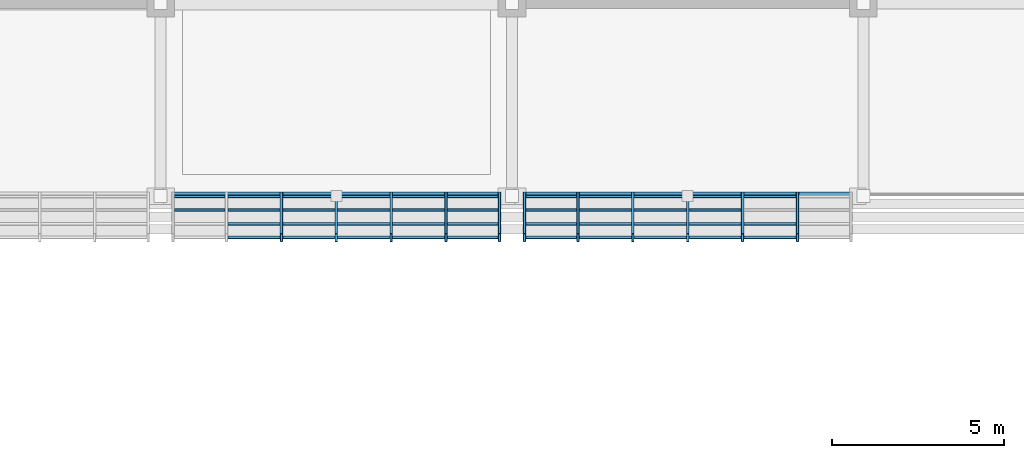
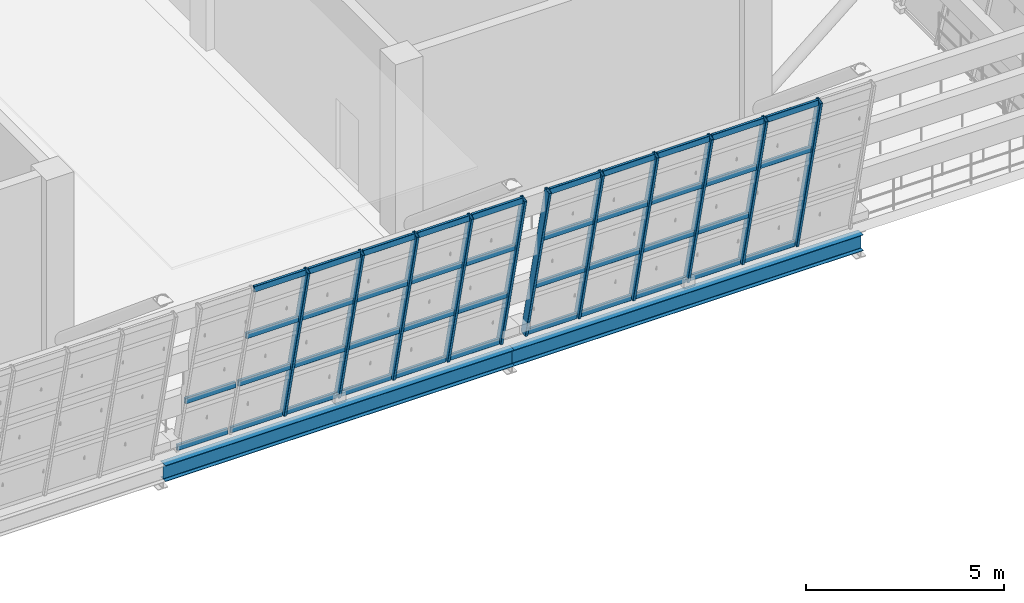
# One storey, part 60 of 175: 52 members, 2 beams, 2 elements without a shape of their own.
"""IFC4 building model written with IfcOpenShell, lengths in metres."""

from ifc_helpers import new_model, si_unit, direction, frame, origin, origin_2d, place, context, subcontext, project, spatial, hollow_rectangle, i_section, extrude, material, material_profile, profile_set, type_object, element, aggregate, save


model = new_model("IFC4")

# Units and contexts
model_context = context("Model", 3, precision=1e-05, world=origin(), true_north=direction((0.0, 1.0)))
body_context = subcontext(model_context, "Body", "Model", "MODEL_VIEW")
ifc_project = project(units=[si_unit("LENGTHUNIT", "METRE"), si_unit("AREAUNIT", "SQUARE_METRE"), si_unit("VOLUMEUNIT", "CUBIC_METRE"), si_unit("PLANEANGLEUNIT", "RADIAN"), si_unit("MASSUNIT", "GRAM", prefix="KILO")], contexts=[model_context])

# Site, building, storey
site_placement = place(None, origin())
site = spatial("IfcSite", under=ifc_project, at=site_placement, CompositionType="ELEMENT")
building_placement = place(site_placement, origin())
building = spatial("IfcBuilding", under=site, at=building_placement, Name="Brelvane Convention Centre", CompositionType="ELEMENT")
storey_placement = place(building_placement, frame((0.0, 0.0, 5.39990234375)))
storey = spatial("IfcBuildingStorey", under=building, at=storey_placement, Name="L01", CompositionType="ELEMENT", Elevation=5.39990234375)

# Curtain wall, members
ifc_material_1 = material(Name="Anodised Aluminium Alloy 6063-T6", Category="aluminium")
curtain_wall_type = type_object("IfcCurtainWallType", Name="Curtain Wall CW-HULL-S", PredefinedType="USERDEFINED", material=ifc_material_1)
curtain_wall_1_placement = place(storey_placement, origin())
curtain_wall_1 = element("IfcCurtainWall", 1, at=curtain_wall_1_placement, inside=storey, type_object=curtain_wall_type, Name="Curtain Wall CW-HULL-S L01-HULL-S-L01-21", ObjectType="UNITISED", PredefinedType="USERDEFINED")
ifc_material_2 = material(Name="Anodised Aluminium Alloy 6063-T6", Category="aluminium")
ifc_material_profile_1 = material_profile(ifc_material_2, hollow_rectangle(XDim=0.080078125, YDim=0.239990234375, WallThickness=0.006103515625, InnerFilletRadius=0.006103515625, OuterFilletRadius=0.011962890625, at=origin_2d()), Name="ALU-M 240x80x6.0")
ifc_profile_set_1 = profile_set([ifc_material_profile_1], Name="Anodised Aluminium Alloy 6063-T6")
member_type_1 = type_object("IfcMemberType", Name="Curtain Mullion CW-M1", PredefinedType="MULLION", material=ifc_profile_set_1)
member_1_placement = place(storey_placement, frame((207.506591796875, 13.60009765625, 0.0), z_axis=(0.0, -0.228360162456, 0.973576723326), x_axis=(1.0, 0.0, 0.0)))
member_1 = element("IfcMember", 2, at=member_1_placement, type_object=member_type_1, Name="CW-HULL-S mullion 3", PredefinedType="MULLION", context=body_context, shape_type="SweptSolid", body=[
    extrude(hollow_rectangle(XDim=0.080078125, YDim=0.239990234375, WallThickness=0.006103515625, InnerFilletRadius=0.006103515625, OuterFilletRadius=0.011962890625, at=origin_2d()), origin(), (0.0, 0.0, 1.0), 5.2900390625),
])
member_2_placement = place(storey_placement, frame((209.10009765625, 13.60009765625, 0.0), z_axis=(0.0, -0.228360162456, 0.973576723326), x_axis=(1.0, 0.0, 0.0)))
member_2 = element("IfcMember", 3, at=member_2_placement, type_object=member_type_1, Name="CW-HULL-S mullion 4", PredefinedType="MULLION", context=body_context, shape_type="SweptSolid", body=[
    extrude(hollow_rectangle(XDim=0.080078125, YDim=0.239990234375, WallThickness=0.006103515625, InnerFilletRadius=0.006103515625, OuterFilletRadius=0.011962890625, at=origin_2d()), origin(), (0.0, 0.0, 1.0), 5.2900390625),
])
member_3_placement = place(storey_placement, frame((210.693359375, 13.60009765625, 0.0), z_axis=(0.0, -0.228360162456, 0.973576723326), x_axis=(1.0, 0.0, 0.0)))
member_3 = element("IfcMember", 4, at=member_3_placement, type_object=member_type_1, Name="CW-HULL-S mullion 5", PredefinedType="MULLION", context=body_context, shape_type="SweptSolid", body=[
    extrude(hollow_rectangle(XDim=0.080078125, YDim=0.239990234375, WallThickness=0.006103515625, InnerFilletRadius=0.006103515625, OuterFilletRadius=0.011962890625, at=origin_2d()), origin(), (0.0, 0.0, 1.0), 5.2900390625),
])
member_4_placement = place(storey_placement, frame((212.28662109375, 13.60009765625, 0.0), z_axis=(0.0, -0.228360162456, 0.973576723326), x_axis=(1.0, 0.0, 0.0)))
member_4 = element("IfcMember", 5, at=member_4_placement, type_object=member_type_1, Name="CW-HULL-S mullion 6", PredefinedType="MULLION", context=body_context, shape_type="SweptSolid", body=[
    extrude(hollow_rectangle(XDim=0.080078125, YDim=0.239990234375, WallThickness=0.006103515625, InnerFilletRadius=0.006103515625, OuterFilletRadius=0.011962890625, at=origin_2d()), origin(), (0.0, 0.0, 1.0), 5.2900390625),
])
member_5_placement = place(storey_placement, frame((213.840087890625, 13.60009765625, 0.0), z_axis=(0.0, -0.228360162456, 0.973576723326), x_axis=(1.0, 0.0, 0.0)))
member_5 = element("IfcMember", 6, at=member_5_placement, type_object=member_type_1, Name="CW-HULL-S mullion 7", PredefinedType="MULLION", context=body_context, shape_type="SweptSolid", body=[
    extrude(hollow_rectangle(XDim=0.080078125, YDim=0.239990234375, WallThickness=0.006103515625, InnerFilletRadius=0.006103515625, OuterFilletRadius=0.011962890625, at=origin_2d()), origin(), (0.0, 0.0, 1.0), 5.2900390625),
])

curtain_wall_2_placement = place(storey_placement, origin())
curtain_wall_2 = element("IfcCurtainWall", 7, at=curtain_wall_2_placement, inside=storey, type_object=curtain_wall_type, Name="Curtain Wall CW-HULL-S L01-HULL-S-L01-22", ObjectType="UNITISED", PredefinedType="USERDEFINED")
member_6_placement = place(storey_placement, frame((214.56005859375, 13.60009765625, 0.0), z_axis=(0.0, -0.228360162456, 0.973576723326), x_axis=(1.0, 0.0, 0.0)))
member_6 = element("IfcMember", 8, at=member_6_placement, type_object=member_type_1, Name="CW-HULL-S mullion 1", PredefinedType="MULLION", context=body_context, shape_type="SweptSolid", body=[
    extrude(hollow_rectangle(XDim=0.080078125, YDim=0.239990234375, WallThickness=0.006103515625, InnerFilletRadius=0.006103515625, OuterFilletRadius=0.011962890625, at=origin_2d()), origin(), (0.0, 0.0, 1.0), 5.2900390625),
])
member_7_placement = place(storey_placement, frame((216.11328125, 13.60009765625, 0.0), z_axis=(0.0, -0.228360162456, 0.973576723326), x_axis=(1.0, 0.0, 0.0)))
member_7 = element("IfcMember", 9, at=member_7_placement, type_object=member_type_1, Name="CW-HULL-S mullion 2", PredefinedType="MULLION", context=body_context, shape_type="SweptSolid", body=[
    extrude(hollow_rectangle(XDim=0.080078125, YDim=0.239990234375, WallThickness=0.006103515625, InnerFilletRadius=0.006103515625, OuterFilletRadius=0.011962890625, at=origin_2d()), origin(), (0.0, 0.0, 1.0), 5.2900390625),
])
member_8_placement = place(storey_placement, frame((217.706787109375, 13.60009765625, 0.0), z_axis=(0.0, -0.228360162456, 0.973576723326), x_axis=(1.0, 0.0, 0.0)))
member_8 = element("IfcMember", 10, at=member_8_placement, type_object=member_type_1, Name="CW-HULL-S mullion 3", PredefinedType="MULLION", context=body_context, shape_type="SweptSolid", body=[
    extrude(hollow_rectangle(XDim=0.080078125, YDim=0.239990234375, WallThickness=0.006103515625, InnerFilletRadius=0.006103515625, OuterFilletRadius=0.011962890625, at=origin_2d()), origin(), (0.0, 0.0, 1.0), 5.2900390625),
])
member_9_placement = place(storey_placement, frame((219.300048828125, 13.60009765625, 0.0), z_axis=(0.0, -0.228360162456, 0.973576723326), x_axis=(1.0, 0.0, 0.0)))
member_9 = element("IfcMember", 11, at=member_9_placement, type_object=member_type_1, Name="CW-HULL-S mullion 4", PredefinedType="MULLION", context=body_context, shape_type="SweptSolid", body=[
    extrude(hollow_rectangle(XDim=0.080078125, YDim=0.239990234375, WallThickness=0.006103515625, InnerFilletRadius=0.006103515625, OuterFilletRadius=0.011962890625, at=origin_2d()), origin(), (0.0, 0.0, 1.0), 5.2900390625),
])
member_10_placement = place(storey_placement, frame((220.893310546875, 13.60009765625, 0.0), z_axis=(0.0, -0.228360162456, 0.973576723326), x_axis=(1.0, 0.0, 0.0)))
member_10 = element("IfcMember", 12, at=member_10_placement, type_object=member_type_1, Name="CW-HULL-S mullion 5", PredefinedType="MULLION", context=body_context, shape_type="SweptSolid", body=[
    extrude(hollow_rectangle(XDim=0.080078125, YDim=0.239990234375, WallThickness=0.006103515625, InnerFilletRadius=0.006103515625, OuterFilletRadius=0.011962890625, at=origin_2d()), origin(), (0.0, 0.0, 1.0), 5.2900390625),
])
member_11_placement = place(storey_placement, frame((222.486572265625, 13.60009765625, 0.0), z_axis=(0.0, -0.228360162456, 0.973576723326), x_axis=(1.0, 0.0, 0.0)))
member_11 = element("IfcMember", 13, at=member_11_placement, type_object=member_type_1, Name="CW-HULL-S mullion 6", PredefinedType="MULLION", context=body_context, shape_type="SweptSolid", body=[
    extrude(hollow_rectangle(XDim=0.080078125, YDim=0.239990234375, WallThickness=0.006103515625, InnerFilletRadius=0.006103515625, OuterFilletRadius=0.011962890625, at=origin_2d()), origin(), (0.0, 0.0, 1.0), 5.2900390625),
])

# Member
ifc_material_3 = material(Name="Anodised Aluminium Alloy 6063-T6", Category="aluminium")
ifc_material_profile_2 = material_profile(ifc_material_3, hollow_rectangle(XDim=0.080078125, YDim=0.179931640625, WallThickness=0.0048828125, InnerFilletRadius=0.0048828125, OuterFilletRadius=0.010009765625, at=origin_2d()), Name="ALU-T 180x80x5.0")
ifc_profile_set_2 = profile_set([ifc_material_profile_2], Name="Anodised Aluminium Alloy 6063-T6")
member_type_2 = type_object("IfcMemberType", Name="Curtain Transom CW-T1", PredefinedType="USERDEFINED", material=ifc_profile_set_2)
member_12_placement = place(storey_placement, frame((204.39990234375, 13.590576171875, 0.0400390625), z_axis=(1.0, 0.0, 0.0), x_axis=(0.0, 1.0, 0.0)))
member_12 = element("IfcMember", 14, at=member_12_placement, type_object=member_type_2, Name="CW-HULL-S transom 1.1", ObjectType="TRANSOM", PredefinedType="USERDEFINED", context=body_context, shape_type="SweptSolid", body=[
    extrude(hollow_rectangle(XDim=0.080078125, YDim=0.179931640625, WallThickness=0.0048828125, InnerFilletRadius=0.0048828125, OuterFilletRadius=0.010009765625, at=origin_2d()), origin(), (0.0, 0.0, 1.0), 1.473388671875),
])

member_13_placement = place(storey_placement, frame((204.39990234375, 13.197265625, 1.716796875), z_axis=(1.0, 0.0, 0.0), x_axis=(0.0, 1.0, 0.0)))
member_13 = element("IfcMember", 15, at=member_13_placement, type_object=member_type_2, Name="CW-HULL-S transom 1.2", ObjectType="TRANSOM", PredefinedType="USERDEFINED", context=body_context, shape_type="SweptSolid", body=[
    extrude(hollow_rectangle(XDim=0.080078125, YDim=0.179931640625, WallThickness=0.0048828125, InnerFilletRadius=0.0048828125, OuterFilletRadius=0.010009765625, at=origin_2d()), origin(), (0.0, 0.0, 1.0), 1.473388671875),
])

member_14_placement = place(storey_placement, frame((205.953369140625, 13.590576171875, 0.0400390625), z_axis=(1.0, 0.0, 0.0), x_axis=(0.0, 1.0, 0.0)))
member_14 = element("IfcMember", 16, at=member_14_placement, type_object=member_type_2, Name="CW-HULL-S transom 2.1", ObjectType="TRANSOM", PredefinedType="USERDEFINED", context=body_context, shape_type="SweptSolid", body=[
    extrude(hollow_rectangle(XDim=0.080078125, YDim=0.179931640625, WallThickness=0.0048828125, InnerFilletRadius=0.0048828125, OuterFilletRadius=0.010009765625, at=origin_2d()), origin(), (0.0, 0.0, 1.0), 1.51318359375),
])

member_15_placement = place(storey_placement, frame((205.953369140625, 13.197265625, 1.716796875), z_axis=(1.0, 0.0, 0.0), x_axis=(0.0, 1.0, 0.0)))
member_15 = element("IfcMember", 17, at=member_15_placement, type_object=member_type_2, Name="CW-HULL-S transom 2.2", ObjectType="TRANSOM", PredefinedType="USERDEFINED", context=body_context, shape_type="SweptSolid", body=[
    extrude(hollow_rectangle(XDim=0.080078125, YDim=0.179931640625, WallThickness=0.0048828125, InnerFilletRadius=0.0048828125, OuterFilletRadius=0.010009765625, at=origin_2d()), origin(), (0.0, 0.0, 1.0), 1.51318359375),
])

member_16_placement = place(storey_placement, frame((205.953369140625, 12.794677734375, 3.433349609375), z_axis=(1.0, 0.0, 0.0), x_axis=(0.0, 1.0, 0.0)))
member_16 = element("IfcMember", 18, at=member_16_placement, type_object=member_type_2, Name="CW-HULL-S transom 2.3", ObjectType="TRANSOM", PredefinedType="USERDEFINED", context=body_context, shape_type="SweptSolid", body=[
    extrude(hollow_rectangle(XDim=0.080078125, YDim=0.179931640625, WallThickness=0.0048828125, InnerFilletRadius=0.0048828125, OuterFilletRadius=0.010009765625, at=origin_2d()), origin(), (0.0, 0.0, 1.0), 1.51318359375),
])

member_17_placement = place(storey_placement, frame((205.953369140625, 12.4013671875, 5.110107421875), z_axis=(1.0, 0.0, 0.0), x_axis=(0.0, 1.0, 0.0)))
member_17 = element("IfcMember", 19, at=member_17_placement, type_object=member_type_2, Name="CW-HULL-S transom 2.4", ObjectType="TRANSOM", PredefinedType="USERDEFINED", context=body_context, shape_type="SweptSolid", body=[
    extrude(hollow_rectangle(XDim=0.080078125, YDim=0.179931640625, WallThickness=0.0048828125, InnerFilletRadius=0.0048828125, OuterFilletRadius=0.010009765625, at=origin_2d()), origin(), (0.0, 0.0, 1.0), 1.51318359375),
])

member_18_placement = place(storey_placement, frame((207.546630859375, 13.590576171875, 0.0400390625), z_axis=(1.0, 0.0, 0.0), x_axis=(0.0, 1.0, 0.0)))
member_18 = element("IfcMember", 20, at=member_18_placement, type_object=member_type_2, Name="CW-HULL-S transom 3.1", ObjectType="TRANSOM", PredefinedType="USERDEFINED", context=body_context, shape_type="SweptSolid", body=[
    extrude(hollow_rectangle(XDim=0.080078125, YDim=0.179931640625, WallThickness=0.0048828125, InnerFilletRadius=0.0048828125, OuterFilletRadius=0.010009765625, at=origin_2d()), origin(), (0.0, 0.0, 1.0), 1.513427734375),
])

member_19_placement = place(storey_placement, frame((207.546630859375, 13.197265625, 1.716796875), z_axis=(1.0, 0.0, 0.0), x_axis=(0.0, 1.0, 0.0)))
member_19 = element("IfcMember", 21, at=member_19_placement, type_object=member_type_2, Name="CW-HULL-S transom 3.2", ObjectType="TRANSOM", PredefinedType="USERDEFINED", context=body_context, shape_type="SweptSolid", body=[
    extrude(hollow_rectangle(XDim=0.080078125, YDim=0.179931640625, WallThickness=0.0048828125, InnerFilletRadius=0.0048828125, OuterFilletRadius=0.010009765625, at=origin_2d()), origin(), (0.0, 0.0, 1.0), 1.513427734375),
])

member_20_placement = place(storey_placement, frame((207.546630859375, 12.794677734375, 3.433349609375), z_axis=(1.0, 0.0, 0.0), x_axis=(0.0, 1.0, 0.0)))
member_20 = element("IfcMember", 22, at=member_20_placement, type_object=member_type_2, Name="CW-HULL-S transom 3.3", ObjectType="TRANSOM", PredefinedType="USERDEFINED", context=body_context, shape_type="SweptSolid", body=[
    extrude(hollow_rectangle(XDim=0.080078125, YDim=0.179931640625, WallThickness=0.0048828125, InnerFilletRadius=0.0048828125, OuterFilletRadius=0.010009765625, at=origin_2d()), origin(), (0.0, 0.0, 1.0), 1.513427734375),
])

member_21_placement = place(storey_placement, frame((207.546630859375, 12.4013671875, 5.110107421875), z_axis=(1.0, 0.0, 0.0), x_axis=(0.0, 1.0, 0.0)))
member_21 = element("IfcMember", 23, at=member_21_placement, type_object=member_type_2, Name="CW-HULL-S transom 3.4", ObjectType="TRANSOM", PredefinedType="USERDEFINED", context=body_context, shape_type="SweptSolid", body=[
    extrude(hollow_rectangle(XDim=0.080078125, YDim=0.179931640625, WallThickness=0.0048828125, InnerFilletRadius=0.0048828125, OuterFilletRadius=0.010009765625, at=origin_2d()), origin(), (0.0, 0.0, 1.0), 1.513427734375),
])

member_22_placement = place(storey_placement, frame((209.139892578125, 13.590576171875, 0.0400390625), z_axis=(1.0, 0.0, 0.0), x_axis=(0.0, 1.0, 0.0)))
member_22 = element("IfcMember", 24, at=member_22_placement, type_object=member_type_2, Name="CW-HULL-S transom 4.1", ObjectType="TRANSOM", PredefinedType="USERDEFINED", context=body_context, shape_type="SweptSolid", body=[
    extrude(hollow_rectangle(XDim=0.080078125, YDim=0.179931640625, WallThickness=0.0048828125, InnerFilletRadius=0.0048828125, OuterFilletRadius=0.010009765625, at=origin_2d()), origin(), (0.0, 0.0, 1.0), 1.513427734375),
])

member_23_placement = place(storey_placement, frame((209.139892578125, 13.197265625, 1.716796875), z_axis=(1.0, 0.0, 0.0), x_axis=(0.0, 1.0, 0.0)))
member_23 = element("IfcMember", 25, at=member_23_placement, type_object=member_type_2, Name="CW-HULL-S transom 4.2", ObjectType="TRANSOM", PredefinedType="USERDEFINED", context=body_context, shape_type="SweptSolid", body=[
    extrude(hollow_rectangle(XDim=0.080078125, YDim=0.179931640625, WallThickness=0.0048828125, InnerFilletRadius=0.0048828125, OuterFilletRadius=0.010009765625, at=origin_2d()), origin(), (0.0, 0.0, 1.0), 1.513427734375),
])

member_24_placement = place(storey_placement, frame((209.139892578125, 12.794677734375, 3.433349609375), z_axis=(1.0, 0.0, 0.0), x_axis=(0.0, 1.0, 0.0)))
member_24 = element("IfcMember", 26, at=member_24_placement, type_object=member_type_2, Name="CW-HULL-S transom 4.3", ObjectType="TRANSOM", PredefinedType="USERDEFINED", context=body_context, shape_type="SweptSolid", body=[
    extrude(hollow_rectangle(XDim=0.080078125, YDim=0.179931640625, WallThickness=0.0048828125, InnerFilletRadius=0.0048828125, OuterFilletRadius=0.010009765625, at=origin_2d()), origin(), (0.0, 0.0, 1.0), 1.513427734375),
])

member_25_placement = place(storey_placement, frame((209.139892578125, 12.4013671875, 5.110107421875), z_axis=(1.0, 0.0, 0.0), x_axis=(0.0, 1.0, 0.0)))
member_25 = element("IfcMember", 27, at=member_25_placement, type_object=member_type_2, Name="CW-HULL-S transom 4.4", ObjectType="TRANSOM", PredefinedType="USERDEFINED", context=body_context, shape_type="SweptSolid", body=[
    extrude(hollow_rectangle(XDim=0.080078125, YDim=0.179931640625, WallThickness=0.0048828125, InnerFilletRadius=0.0048828125, OuterFilletRadius=0.010009765625, at=origin_2d()), origin(), (0.0, 0.0, 1.0), 1.513427734375),
])

member_26_placement = place(storey_placement, frame((210.7333984375, 13.590576171875, 0.0400390625), z_axis=(1.0, 0.0, 0.0), x_axis=(0.0, 1.0, 0.0)))
member_26 = element("IfcMember", 28, at=member_26_placement, type_object=member_type_2, Name="CW-HULL-S transom 5.1", ObjectType="TRANSOM", PredefinedType="USERDEFINED", context=body_context, shape_type="SweptSolid", body=[
    extrude(hollow_rectangle(XDim=0.080078125, YDim=0.179931640625, WallThickness=0.0048828125, InnerFilletRadius=0.0048828125, OuterFilletRadius=0.010009765625, at=origin_2d()), origin(), (0.0, 0.0, 1.0), 1.51318359375),
])

member_27_placement = place(storey_placement, frame((210.7333984375, 13.197265625, 1.716796875), z_axis=(1.0, 0.0, 0.0), x_axis=(0.0, 1.0, 0.0)))
member_27 = element("IfcMember", 29, at=member_27_placement, type_object=member_type_2, Name="CW-HULL-S transom 5.2", ObjectType="TRANSOM", PredefinedType="USERDEFINED", context=body_context, shape_type="SweptSolid", body=[
    extrude(hollow_rectangle(XDim=0.080078125, YDim=0.179931640625, WallThickness=0.0048828125, InnerFilletRadius=0.0048828125, OuterFilletRadius=0.010009765625, at=origin_2d()), origin(), (0.0, 0.0, 1.0), 1.51318359375),
])

member_28_placement = place(storey_placement, frame((210.7333984375, 12.794677734375, 3.433349609375), z_axis=(1.0, 0.0, 0.0), x_axis=(0.0, 1.0, 0.0)))
member_28 = element("IfcMember", 30, at=member_28_placement, type_object=member_type_2, Name="CW-HULL-S transom 5.3", ObjectType="TRANSOM", PredefinedType="USERDEFINED", context=body_context, shape_type="SweptSolid", body=[
    extrude(hollow_rectangle(XDim=0.080078125, YDim=0.179931640625, WallThickness=0.0048828125, InnerFilletRadius=0.0048828125, OuterFilletRadius=0.010009765625, at=origin_2d()), origin(), (0.0, 0.0, 1.0), 1.51318359375),
])

member_29_placement = place(storey_placement, frame((210.7333984375, 12.4013671875, 5.110107421875), z_axis=(1.0, 0.0, 0.0), x_axis=(0.0, 1.0, 0.0)))
member_29 = element("IfcMember", 31, at=member_29_placement, type_object=member_type_2, Name="CW-HULL-S transom 5.4", ObjectType="TRANSOM", PredefinedType="USERDEFINED", context=body_context, shape_type="SweptSolid", body=[
    extrude(hollow_rectangle(XDim=0.080078125, YDim=0.179931640625, WallThickness=0.0048828125, InnerFilletRadius=0.0048828125, OuterFilletRadius=0.010009765625, at=origin_2d()), origin(), (0.0, 0.0, 1.0), 1.51318359375),
])

member_30_placement = place(storey_placement, frame((212.32666015625, 13.590576171875, 0.0400390625), z_axis=(1.0, 0.0, 0.0), x_axis=(0.0, 1.0, 0.0)))
member_30 = element("IfcMember", 32, at=member_30_placement, type_object=member_type_2, Name="CW-HULL-S transom 6.1", ObjectType="TRANSOM", PredefinedType="USERDEFINED", context=body_context, shape_type="SweptSolid", body=[
    extrude(hollow_rectangle(XDim=0.080078125, YDim=0.179931640625, WallThickness=0.0048828125, InnerFilletRadius=0.0048828125, OuterFilletRadius=0.010009765625, at=origin_2d()), origin(), (0.0, 0.0, 1.0), 1.473388671875),
])

member_31_placement = place(storey_placement, frame((212.32666015625, 13.197265625, 1.716796875), z_axis=(1.0, 0.0, 0.0), x_axis=(0.0, 1.0, 0.0)))
member_31 = element("IfcMember", 33, at=member_31_placement, type_object=member_type_2, Name="CW-HULL-S transom 6.2", ObjectType="TRANSOM", PredefinedType="USERDEFINED", context=body_context, shape_type="SweptSolid", body=[
    extrude(hollow_rectangle(XDim=0.080078125, YDim=0.179931640625, WallThickness=0.0048828125, InnerFilletRadius=0.0048828125, OuterFilletRadius=0.010009765625, at=origin_2d()), origin(), (0.0, 0.0, 1.0), 1.473388671875),
])

member_32_placement = place(storey_placement, frame((212.32666015625, 12.794677734375, 3.433349609375), z_axis=(1.0, 0.0, 0.0), x_axis=(0.0, 1.0, 0.0)))
member_32 = element("IfcMember", 34, at=member_32_placement, type_object=member_type_2, Name="CW-HULL-S transom 6.3", ObjectType="TRANSOM", PredefinedType="USERDEFINED", context=body_context, shape_type="SweptSolid", body=[
    extrude(hollow_rectangle(XDim=0.080078125, YDim=0.179931640625, WallThickness=0.0048828125, InnerFilletRadius=0.0048828125, OuterFilletRadius=0.010009765625, at=origin_2d()), origin(), (0.0, 0.0, 1.0), 1.473388671875),
])

member_33_placement = place(storey_placement, frame((212.32666015625, 12.4013671875, 5.110107421875), z_axis=(1.0, 0.0, 0.0), x_axis=(0.0, 1.0, 0.0)))
member_33 = element("IfcMember", 35, at=member_33_placement, type_object=member_type_2, Name="CW-HULL-S transom 6.4", ObjectType="TRANSOM", PredefinedType="USERDEFINED", context=body_context, shape_type="SweptSolid", body=[
    extrude(hollow_rectangle(XDim=0.080078125, YDim=0.179931640625, WallThickness=0.0048828125, InnerFilletRadius=0.0048828125, OuterFilletRadius=0.010009765625, at=origin_2d()), origin(), (0.0, 0.0, 1.0), 1.473388671875),
])

aggregate(curtain_wall_1, [member_1, member_2, member_3, member_4, member_5, member_12, member_13, member_14, member_15, member_16, member_17, member_18, member_19, member_20, member_21, member_22, member_23, member_24, member_25, member_26, member_27, member_28, member_29, member_30, member_31, member_32, member_33])

member_34_placement = place(storey_placement, frame((214.60009765625, 13.590576171875, 0.0400390625), z_axis=(1.0, 0.0, 0.0), x_axis=(0.0, 1.0, 0.0)))
member_34 = element("IfcMember", 36, at=member_34_placement, type_object=member_type_2, Name="CW-HULL-S transom 1.1", ObjectType="TRANSOM", PredefinedType="USERDEFINED", context=body_context, shape_type="SweptSolid", body=[
    extrude(hollow_rectangle(XDim=0.080078125, YDim=0.179931640625, WallThickness=0.0048828125, InnerFilletRadius=0.0048828125, OuterFilletRadius=0.010009765625, at=origin_2d()), origin(), (0.0, 0.0, 1.0), 1.47314453125),
])

member_35_placement = place(storey_placement, frame((214.60009765625, 13.197265625, 1.716796875), z_axis=(1.0, 0.0, 0.0), x_axis=(0.0, 1.0, 0.0)))
member_35 = element("IfcMember", 37, at=member_35_placement, type_object=member_type_2, Name="CW-HULL-S transom 1.2", ObjectType="TRANSOM", PredefinedType="USERDEFINED", context=body_context, shape_type="SweptSolid", body=[
    extrude(hollow_rectangle(XDim=0.080078125, YDim=0.179931640625, WallThickness=0.0048828125, InnerFilletRadius=0.0048828125, OuterFilletRadius=0.010009765625, at=origin_2d()), origin(), (0.0, 0.0, 1.0), 1.47314453125),
])

member_36_placement = place(storey_placement, frame((214.60009765625, 12.794677734375, 3.433349609375), z_axis=(1.0, 0.0, 0.0), x_axis=(0.0, 1.0, 0.0)))
member_36 = element("IfcMember", 38, at=member_36_placement, type_object=member_type_2, Name="CW-HULL-S transom 1.3", ObjectType="TRANSOM", PredefinedType="USERDEFINED", context=body_context, shape_type="SweptSolid", body=[
    extrude(hollow_rectangle(XDim=0.080078125, YDim=0.179931640625, WallThickness=0.0048828125, InnerFilletRadius=0.0048828125, OuterFilletRadius=0.010009765625, at=origin_2d()), origin(), (0.0, 0.0, 1.0), 1.47314453125),
])

member_37_placement = place(storey_placement, frame((214.60009765625, 12.4013671875, 5.110107421875), z_axis=(1.0, 0.0, 0.0), x_axis=(0.0, 1.0, 0.0)))
member_37 = element("IfcMember", 39, at=member_37_placement, type_object=member_type_2, Name="CW-HULL-S transom 1.4", ObjectType="TRANSOM", PredefinedType="USERDEFINED", context=body_context, shape_type="SweptSolid", body=[
    extrude(hollow_rectangle(XDim=0.080078125, YDim=0.179931640625, WallThickness=0.0048828125, InnerFilletRadius=0.0048828125, OuterFilletRadius=0.010009765625, at=origin_2d()), origin(), (0.0, 0.0, 1.0), 1.47314453125),
])

member_38_placement = place(storey_placement, frame((216.1533203125, 13.590576171875, 0.0400390625), z_axis=(1.0, 0.0, 0.0), x_axis=(0.0, 1.0, 0.0)))
member_38 = element("IfcMember", 40, at=member_38_placement, type_object=member_type_2, Name="CW-HULL-S transom 2.1", ObjectType="TRANSOM", PredefinedType="USERDEFINED", context=body_context, shape_type="SweptSolid", body=[
    extrude(hollow_rectangle(XDim=0.080078125, YDim=0.179931640625, WallThickness=0.0048828125, InnerFilletRadius=0.0048828125, OuterFilletRadius=0.010009765625, at=origin_2d()), origin(), (0.0, 0.0, 1.0), 1.513427734375),
])

member_39_placement = place(storey_placement, frame((216.1533203125, 13.197265625, 1.716796875), z_axis=(1.0, 0.0, 0.0), x_axis=(0.0, 1.0, 0.0)))
member_39 = element("IfcMember", 41, at=member_39_placement, type_object=member_type_2, Name="CW-HULL-S transom 2.2", ObjectType="TRANSOM", PredefinedType="USERDEFINED", context=body_context, shape_type="SweptSolid", body=[
    extrude(hollow_rectangle(XDim=0.080078125, YDim=0.179931640625, WallThickness=0.0048828125, InnerFilletRadius=0.0048828125, OuterFilletRadius=0.010009765625, at=origin_2d()), origin(), (0.0, 0.0, 1.0), 1.513427734375),
])

member_40_placement = place(storey_placement, frame((216.1533203125, 12.794677734375, 3.433349609375), z_axis=(1.0, 0.0, 0.0), x_axis=(0.0, 1.0, 0.0)))
member_40 = element("IfcMember", 42, at=member_40_placement, type_object=member_type_2, Name="CW-HULL-S transom 2.3", ObjectType="TRANSOM", PredefinedType="USERDEFINED", context=body_context, shape_type="SweptSolid", body=[
    extrude(hollow_rectangle(XDim=0.080078125, YDim=0.179931640625, WallThickness=0.0048828125, InnerFilletRadius=0.0048828125, OuterFilletRadius=0.010009765625, at=origin_2d()), origin(), (0.0, 0.0, 1.0), 1.513427734375),
])

member_41_placement = place(storey_placement, frame((216.1533203125, 12.4013671875, 5.110107421875), z_axis=(1.0, 0.0, 0.0), x_axis=(0.0, 1.0, 0.0)))
member_41 = element("IfcMember", 43, at=member_41_placement, type_object=member_type_2, Name="CW-HULL-S transom 2.4", ObjectType="TRANSOM", PredefinedType="USERDEFINED", context=body_context, shape_type="SweptSolid", body=[
    extrude(hollow_rectangle(XDim=0.080078125, YDim=0.179931640625, WallThickness=0.0048828125, InnerFilletRadius=0.0048828125, OuterFilletRadius=0.010009765625, at=origin_2d()), origin(), (0.0, 0.0, 1.0), 1.513427734375),
])

member_42_placement = place(storey_placement, frame((217.74658203125, 13.590576171875, 0.0400390625), z_axis=(1.0, 0.0, 0.0), x_axis=(0.0, 1.0, 0.0)))
member_42 = element("IfcMember", 44, at=member_42_placement, type_object=member_type_2, Name="CW-HULL-S transom 3.1", ObjectType="TRANSOM", PredefinedType="USERDEFINED", context=body_context, shape_type="SweptSolid", body=[
    extrude(hollow_rectangle(XDim=0.080078125, YDim=0.179931640625, WallThickness=0.0048828125, InnerFilletRadius=0.0048828125, OuterFilletRadius=0.010009765625, at=origin_2d()), origin(), (0.0, 0.0, 1.0), 1.513427734375),
])

member_43_placement = place(storey_placement, frame((217.74658203125, 13.197265625, 1.716796875), z_axis=(1.0, 0.0, 0.0), x_axis=(0.0, 1.0, 0.0)))
member_43 = element("IfcMember", 45, at=member_43_placement, type_object=member_type_2, Name="CW-HULL-S transom 3.2", ObjectType="TRANSOM", PredefinedType="USERDEFINED", context=body_context, shape_type="SweptSolid", body=[
    extrude(hollow_rectangle(XDim=0.080078125, YDim=0.179931640625, WallThickness=0.0048828125, InnerFilletRadius=0.0048828125, OuterFilletRadius=0.010009765625, at=origin_2d()), origin(), (0.0, 0.0, 1.0), 1.513427734375),
])

member_44_placement = place(storey_placement, frame((217.74658203125, 12.794677734375, 3.433349609375), z_axis=(1.0, 0.0, 0.0), x_axis=(0.0, 1.0, 0.0)))
member_44 = element("IfcMember", 46, at=member_44_placement, type_object=member_type_2, Name="CW-HULL-S transom 3.3", ObjectType="TRANSOM", PredefinedType="USERDEFINED", context=body_context, shape_type="SweptSolid", body=[
    extrude(hollow_rectangle(XDim=0.080078125, YDim=0.179931640625, WallThickness=0.0048828125, InnerFilletRadius=0.0048828125, OuterFilletRadius=0.010009765625, at=origin_2d()), origin(), (0.0, 0.0, 1.0), 1.513427734375),
])

member_45_placement = place(storey_placement, frame((217.74658203125, 12.4013671875, 5.110107421875), z_axis=(1.0, 0.0, 0.0), x_axis=(0.0, 1.0, 0.0)))
member_45 = element("IfcMember", 47, at=member_45_placement, type_object=member_type_2, Name="CW-HULL-S transom 3.4", ObjectType="TRANSOM", PredefinedType="USERDEFINED", context=body_context, shape_type="SweptSolid", body=[
    extrude(hollow_rectangle(XDim=0.080078125, YDim=0.179931640625, WallThickness=0.0048828125, InnerFilletRadius=0.0048828125, OuterFilletRadius=0.010009765625, at=origin_2d()), origin(), (0.0, 0.0, 1.0), 1.513427734375),
])

member_46_placement = place(storey_placement, frame((219.340087890625, 13.590576171875, 0.0400390625), z_axis=(1.0, 0.0, 0.0), x_axis=(0.0, 1.0, 0.0)))
member_46 = element("IfcMember", 48, at=member_46_placement, type_object=member_type_2, Name="CW-HULL-S transom 4.1", ObjectType="TRANSOM", PredefinedType="USERDEFINED", context=body_context, shape_type="SweptSolid", body=[
    extrude(hollow_rectangle(XDim=0.080078125, YDim=0.179931640625, WallThickness=0.0048828125, InnerFilletRadius=0.0048828125, OuterFilletRadius=0.010009765625, at=origin_2d()), origin(), (0.0, 0.0, 1.0), 1.51318359375),
])

member_47_placement = place(storey_placement, frame((219.340087890625, 13.197265625, 1.716796875), z_axis=(1.0, 0.0, 0.0), x_axis=(0.0, 1.0, 0.0)))
member_47 = element("IfcMember", 49, at=member_47_placement, type_object=member_type_2, Name="CW-HULL-S transom 4.2", ObjectType="TRANSOM", PredefinedType="USERDEFINED", context=body_context, shape_type="SweptSolid", body=[
    extrude(hollow_rectangle(XDim=0.080078125, YDim=0.179931640625, WallThickness=0.0048828125, InnerFilletRadius=0.0048828125, OuterFilletRadius=0.010009765625, at=origin_2d()), origin(), (0.0, 0.0, 1.0), 1.51318359375),
])

member_48_placement = place(storey_placement, frame((219.340087890625, 12.794677734375, 3.433349609375), z_axis=(1.0, 0.0, 0.0), x_axis=(0.0, 1.0, 0.0)))
member_48 = element("IfcMember", 50, at=member_48_placement, type_object=member_type_2, Name="CW-HULL-S transom 4.3", ObjectType="TRANSOM", PredefinedType="USERDEFINED", context=body_context, shape_type="SweptSolid", body=[
    extrude(hollow_rectangle(XDim=0.080078125, YDim=0.179931640625, WallThickness=0.0048828125, InnerFilletRadius=0.0048828125, OuterFilletRadius=0.010009765625, at=origin_2d()), origin(), (0.0, 0.0, 1.0), 1.51318359375),
])

member_49_placement = place(storey_placement, frame((219.340087890625, 12.4013671875, 5.110107421875), z_axis=(1.0, 0.0, 0.0), x_axis=(0.0, 1.0, 0.0)))
member_49 = element("IfcMember", 51, at=member_49_placement, type_object=member_type_2, Name="CW-HULL-S transom 4.4", ObjectType="TRANSOM", PredefinedType="USERDEFINED", context=body_context, shape_type="SweptSolid", body=[
    extrude(hollow_rectangle(XDim=0.080078125, YDim=0.179931640625, WallThickness=0.0048828125, InnerFilletRadius=0.0048828125, OuterFilletRadius=0.010009765625, at=origin_2d()), origin(), (0.0, 0.0, 1.0), 1.51318359375),
])

member_50_placement = place(storey_placement, frame((220.933349609375, 13.590576171875, 0.0400390625), z_axis=(1.0, 0.0, 0.0), x_axis=(0.0, 1.0, 0.0)))
member_50 = element("IfcMember", 52, at=member_50_placement, type_object=member_type_2, Name="CW-HULL-S transom 5.1", ObjectType="TRANSOM", PredefinedType="USERDEFINED", context=body_context, shape_type="SweptSolid", body=[
    extrude(hollow_rectangle(XDim=0.080078125, YDim=0.179931640625, WallThickness=0.0048828125, InnerFilletRadius=0.0048828125, OuterFilletRadius=0.010009765625, at=origin_2d()), origin(), (0.0, 0.0, 1.0), 1.513427734375),
])

member_51_placement = place(storey_placement, frame((220.933349609375, 12.794677734375, 3.433349609375), z_axis=(1.0, 0.0, 0.0), x_axis=(0.0, 1.0, 0.0)))
member_51 = element("IfcMember", 53, at=member_51_placement, type_object=member_type_2, Name="CW-HULL-S transom 5.3", ObjectType="TRANSOM", PredefinedType="USERDEFINED", context=body_context, shape_type="SweptSolid", body=[
    extrude(hollow_rectangle(XDim=0.080078125, YDim=0.179931640625, WallThickness=0.0048828125, InnerFilletRadius=0.0048828125, OuterFilletRadius=0.010009765625, at=origin_2d()), origin(), (0.0, 0.0, 1.0), 1.513427734375),
])

member_52_placement = place(storey_placement, frame((220.933349609375, 12.4013671875, 5.110107421875), z_axis=(1.0, 0.0, 0.0), x_axis=(0.0, 1.0, 0.0)))
member_52 = element("IfcMember", 54, at=member_52_placement, type_object=member_type_2, Name="CW-HULL-S transom 5.4", ObjectType="TRANSOM", PredefinedType="USERDEFINED", context=body_context, shape_type="SweptSolid", body=[
    extrude(hollow_rectangle(XDim=0.080078125, YDim=0.179931640625, WallThickness=0.0048828125, InnerFilletRadius=0.0048828125, OuterFilletRadius=0.010009765625, at=origin_2d()), origin(), (0.0, 0.0, 1.0), 1.513427734375),
])

aggregate(curtain_wall_2, [member_6, member_7, member_8, member_9, member_10, member_11, member_34, member_35, member_36, member_37, member_38, member_39, member_40, member_41, member_42, member_43, member_44, member_45, member_46, member_47, member_48, member_49, member_50, member_51, member_52])

# Beams
ifc_material_4 = material(Name="Steel E350 (350 MPa)", Category="steel")
ifc_material_profile_3 = material_profile(ifc_material_4, i_section(OverallWidth=0.25, OverallDepth=0.5, WebThickness=0.010009765625, FlangeThickness=0.0146484375, FilletRadius=0.01611328125, at=origin_2d()), Name="ISWB 500")
ifc_profile_set_3 = profile_set([ifc_material_profile_3], Name="Steel E350 (350 MPa)")
beam_type = type_object("IfcBeamType", Name="Steel Spandrel SP-ST1 (ISWB 500)", PredefinedType="SPANDREL", material=ifc_profile_set_3)
for number, where, z_axis, x_axis, name in (
    (55, (204.0, 13.60009765625, -0.56982421875), (1.0, 0.0, 0.0), (0.0, 1.0, 0.0), "L01 Hull Overhang Edge Spandrel 21"),
    (56, (214.199951171875, 13.60009765625, -0.56982421875), (1.0, 0.0, 0.0), (0.0, 1.0, 0.0), "L01 Hull Overhang Edge Spandrel 22"),
):
    element("IfcBeam", number, at=place(storey_placement, frame(where, z_axis=z_axis, x_axis=x_axis)), inside=storey, type_object=beam_type, Name=name, PredefinedType="SPANDREL", context=body_context, shape_type="SweptSolid", body=[
        extrude(i_section(OverallWidth=0.25, OverallDepth=0.5, WebThickness=0.010009765625, FlangeThickness=0.0146484375, FilletRadius=0.01611328125, at=origin_2d()), origin(), (0.0, 0.0, 1.0), 10.199951171875),
    ])

save(model, "model.ifc")
